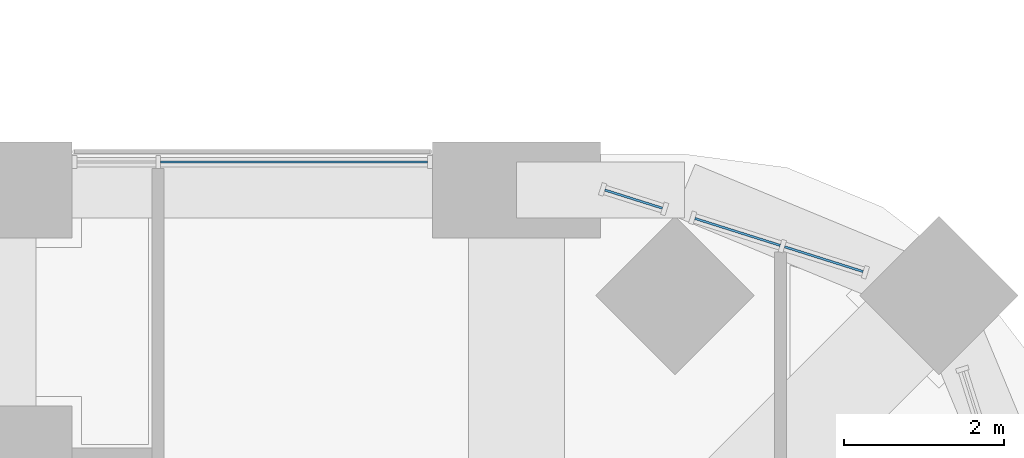
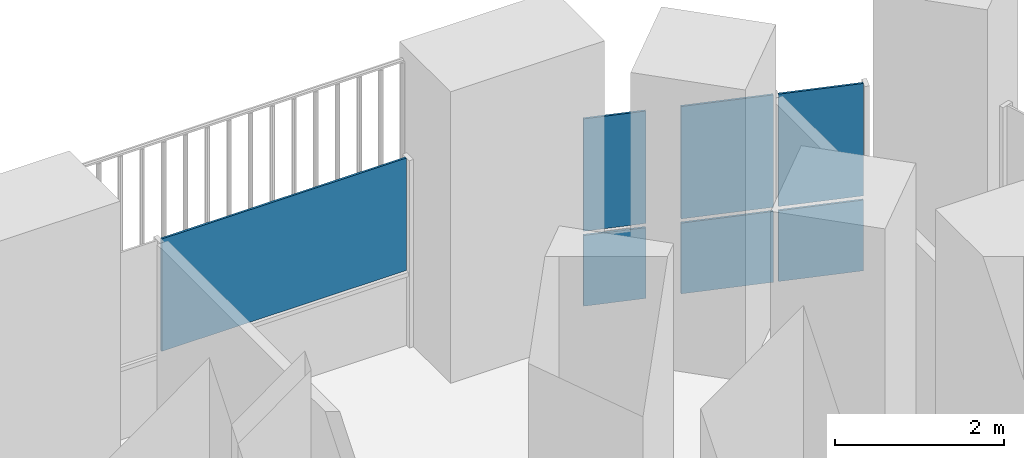
# One storey, part 16 of 26: 7 plates, 3 elements without a shape of their own.
"""IFC4 building model written with IfcOpenShell, lengths in metres."""

import ifcopenshell
import ifcopenshell.guid

model = None  # the IFC model being written
_history = None  # IfcOwnerHistory: only IFC2X3 demands one
_inside = {}  # id of a spatial element -> (the spatial element, [elements in it])
_under = {}  # id of a project, library or spatial element -> (it, [spatial elements below it])
_declared = {}  # id of a project -> (the project, [libraries it declares])
_typed = {}  # id of a type object -> (the type object, [elements of that type])
_made_of = {}  # id of a material, layer set ... -> (it, [elements and type objects made of it])


def new_model(schema):
    """Start an empty IFC model of exactly this schema.

    Asked for "IFC4X3", IfcOpenShell would pick the latest addendum, in which some entities
    have other attributes; the version numbers below select the first issue.
    IFC2X3 requires an IfcOwnerHistory on every rooted entity: one is made here for all.
    """
    global model, _history
    if schema == "IFC4X3":
        model = ifcopenshell.file(schema_version=(4, 3, 0, 0))
    else:
        model = ifcopenshell.file(schema=schema)
    _inside.clear()
    _under.clear()
    _declared.clear()
    _typed.clear()
    _made_of.clear()
    _history = None
    if model.schema == "IFC2X3":
        org = make("IfcOrganization", Name="unknown")
        user = make(
            "IfcPersonAndOrganization",
            ThePerson=make("IfcPerson", FamilyName="unknown"),
            TheOrganization=org,
        )
        app = make(
            "IfcApplication",
            ApplicationDeveloper=org,
            Version="unknown",
            ApplicationFullName="unknown",
            ApplicationIdentifier="unknown",
        )
        _history = make(
            "IfcOwnerHistory",
            OwningUser=user,
            OwningApplication=app,
            ChangeAction="ADDED",
            CreationDate=0,
        )
    return model


def make(cls, **values):
    """One entity of the class cls with the attributes given. An attribute that is None is left unset."""
    return model.create_entity(
        cls, **{name: value for name, value in values.items() if value is not None}
    )


def rooted(cls, **values):
    """An entity with a GlobalId (a new one), such as an element, a storey or a relation."""
    return make(cls, GlobalId=ifcopenshell.guid.new(), OwnerHistory=_history, **values)


def si_unit(unit_type, name, prefix=None):
    """IfcSIUnit, for example si_unit("LENGTHUNIT", "METRE", prefix="MILLI")."""
    return make("IfcSIUnit", UnitType=unit_type, Prefix=prefix, Name=name)


def assignment(units):
    """IfcUnitAssignment: the units of a project."""
    return None if units is None else make("IfcUnitAssignment", Units=units)


def point(xyz):
    """IfcCartesianPoint."""
    return None if xyz is None else make("IfcCartesianPoint", Coordinates=xyz)


def direction(xyz):
    """IfcDirection."""
    return None if xyz is None else make("IfcDirection", DirectionRatios=xyz)


def frame(location, z_axis=None, x_axis=None):
    """IfcAxis2Placement3D, a coordinate frame: its origin and axes. An axis left out is left unset."""
    return make(
        "IfcAxis2Placement3D",
        Location=point(location),
        Axis=direction(z_axis),
        RefDirection=direction(x_axis),
    )


def frame_2d(location, x_axis=None):
    """IfcAxis2Placement2D, a coordinate frame in the plane: its origin and x axis."""
    return make(
        "IfcAxis2Placement2D", Location=point(location), RefDirection=direction(x_axis)
    )


def origin():
    """The frame at (0, 0, 0) with its axes left unset."""
    return frame((0.0, 0.0, 0.0))


def origin_2d():
    """The frame at (0, 0) in the plane with its x axis left unset."""
    return frame_2d((0.0, 0.0))


def place(relative_to, where):
    """IfcLocalPlacement: puts the frame where relative to a parent placement (None: the world)."""
    return make(
        "IfcLocalPlacement", PlacementRelTo=relative_to, RelativePlacement=where
    )


def context(
    kind, dimensions, precision=None, world=None, true_north=None, identifier=None
):
    """IfcGeometricRepresentationContext, for example the 3D "Model" context."""
    return make(
        "IfcGeometricRepresentationContext",
        ContextIdentifier=identifier,
        ContextType=kind,
        CoordinateSpaceDimension=dimensions,
        Precision=precision,
        WorldCoordinateSystem=world,
        TrueNorth=true_north,
    )


def subcontext(parent, identifier, kind, view, scale=None):
    """IfcGeometricRepresentationSubContext, for example "Body" below "Model"."""
    return make(
        "IfcGeometricRepresentationSubContext",
        ContextIdentifier=identifier,
        ContextType=kind,
        ParentContext=parent,
        TargetScale=scale,
        TargetView=view,
    )


def project(units=None, contexts=None):
    """IfcProject with its units and contexts."""
    return rooted(
        "IfcProject",
        Name="project",
        RepresentationContexts=contexts,
        UnitsInContext=assignment(units),
    )


def spatial(cls, under=None, at=None, **own):
    """A site, building, storey or space (cls), placed at a placement, below another one or the project."""
    s = rooted(cls, ObjectPlacement=at, **own)
    if under is not None:
        _under.setdefault(under.id(), (under, []))[1].append(s)
    return s


def profile(cls, at=None, kind="AREA", **sizes):
    """A parametric profile (cls). Its sizes go by their IFC names, for example OverallWidth=200.0."""
    return make(cls, ProfileType=kind, Position=at, **sizes)


def rectangle(**sizes):
    """IfcRectangleProfileDef."""
    return profile("IfcRectangleProfileDef", **sizes)


def extrude(swept, where, along, depth):
    """IfcExtrudedAreaSolid: the profile swept, set in the frame where, extruded along a direction by depth."""
    return make(
        "IfcExtrudedAreaSolid",
        SweptArea=swept,
        Position=where,
        ExtrudedDirection=direction(along),
        Depth=depth,
    )


def shape(context_of_items, identifier, shape_type, items):
    """IfcShapeRepresentation: the items that make up one representation, for example the "Body"."""
    return make(
        "IfcShapeRepresentation",
        ContextOfItems=context_of_items,
        RepresentationIdentifier=identifier,
        RepresentationType=shape_type,
        Items=items,
    )


def material(Name=None, Category=None):
    """IfcMaterial."""
    return make("IfcMaterial", Name=Name, Category=Category)


def layer(
    of_material, thickness, ventilated=None, Name=None, Category=None, Priority=None
):
    """IfcMaterialLayer: one layer of a wall or slab, of a material (None: an air gap)."""
    return make(
        "IfcMaterialLayer",
        Material=of_material,
        LayerThickness=thickness,
        IsVentilated=ventilated,
        Name=Name,
        Category=Category,
        Priority=Priority,
    )


def layer_set(layers, Name=None):
    """IfcMaterialLayerSet."""
    return make("IfcMaterialLayerSet", MaterialLayers=layers, LayerSetName=Name)


def made_of(thing, what):
    """Note that an element or type object is made of a material, layer set ...; save() writes the relation."""
    if what is not None:
        _made_of.setdefault(what.id(), (what, []))[1].append(thing)
    return thing


def type_object(cls, material=None, **own):
    """A type object (cls), such as IfcWallType, which elements share."""
    return made_of(rooted(cls, **own), material)


def element(
    cls,
    number,
    at=None,
    inside=None,
    cuts=None,
    type_object=None,
    material=None,
    context=None,
    identifier="Body",
    shape_type=None,
    held_by="IfcProductDefinitionShape",
    body=None,
    shapes=None,
    **own,
):
    """One element of the class cls, such as IfcWall. Its Tag is "e" and its number.

    at: its placement. inside: the storey or other place that contains it. cuts: it is an
    opening in that element (IfcRelVoidsElement). A single representation is given by context,
    identifier, shape_type and body (its items); several are given by shapes. held_by: the class
    of the entity that holds the representations. save() writes the other relations.
    """
    e = rooted(cls, Tag="e%d" % number, ObjectPlacement=at, **own)
    if body is not None:
        shapes = [shape(context, identifier, shape_type, body)]
    if shapes is not None:
        e.Representation = make(held_by, Representations=shapes)
    if inside is not None:
        _inside.setdefault(inside.id(), (inside, []))[1].append(e)
    if cuts is not None:
        rooted(
            "IfcRelVoidsElement", RelatingBuildingElement=cuts, RelatedOpeningElement=e
        )
    if type_object is not None:
        _typed.setdefault(type_object.id(), (type_object, []))[1].append(e)
    return made_of(e, material)


def aggregate(whole, parts):
    """IfcRelAggregates: a whole, such as a stair, and the parts it consists of."""
    return rooted("IfcRelAggregates", RelatingObject=whole, RelatedObjects=parts)


def save(model, path):
    """Write the relations noted so far, then the file.

    IfcRelAggregates (storeys below a building ...), IfcRelContainedInSpatialStructure (elements
    in a storey), IfcRelDefinesByType, IfcRelAssociatesMaterial and IfcRelDeclares: one each for
    every whole, place, type object, material and project.
    """
    for whole, parts in _under.values():
        aggregate(whole, parts)
    for where, things in _inside.values():
        rooted(
            "IfcRelContainedInSpatialStructure",
            RelatedElements=things,
            RelatingStructure=where,
        )
    for kind, things in _typed.values():
        rooted("IfcRelDefinesByType", RelatedObjects=things, RelatingType=kind)
    for what, things in _made_of.values():
        rooted("IfcRelAssociatesMaterial", RelatedObjects=things, RelatingMaterial=what)
    for by, libraries in _declared.values():
        rooted("IfcRelDeclares", RelatingContext=by, RelatedDefinitions=libraries)
    model.write(path)


model = new_model("IFC4")

# Units and contexts
model_context = context("Model", 3, precision=1e-05, world=origin(), true_north=direction((0.0, 1.0)))
body_context = subcontext(model_context, "Body", "Model", "MODEL_VIEW")
ifc_project = project(units=[si_unit("LENGTHUNIT", "METRE"), si_unit("AREAUNIT", "SQUARE_METRE"), si_unit("VOLUMEUNIT", "CUBIC_METRE"), si_unit("PLANEANGLEUNIT", "RADIAN"), si_unit("MASSUNIT", "GRAM", prefix="KILO")], contexts=[model_context])

# Site, building, storey
site_placement = place(None, origin())
site = spatial("IfcSite", under=ifc_project, at=site_placement, CompositionType="ELEMENT")
building_placement = place(site_placement, origin())
building = spatial("IfcBuilding", under=site, at=building_placement, Name="Cobogo Forest Laboratory Tower", CompositionType="ELEMENT")
storey_placement = place(building_placement, frame((0.0, 0.0, 25.5)))
storey = spatial("IfcBuildingStorey", under=building, at=storey_placement, Name="L05", CompositionType="ELEMENT", Elevation=25.5)

# Curtain wall, plates
ifc_material_1 = material(Name="Aluminium curtain wall", Category="aluminium")
curtain_wall_type = type_object("IfcCurtainWallType", Name="CW-1 unitised curtain wall, clear glazing, laboratory floors zones A and B", PredefinedType="USERDEFINED", material=ifc_material_1)
curtain_wall_1_placement = place(storey_placement, origin())
curtain_wall_1 = element("IfcCurtainWall", 1, at=curtain_wall_1_placement, inside=storey, type_object=curtain_wall_type, Name="Curtain wall 16 L05", ObjectType="UNITISED CURTAIN WALL", PredefinedType="USERDEFINED")
ifc_material_2 = material(Name="Clear insulated glass", Category="glass")
ifc_layer = layer(ifc_material_2, 0.028076171875)
ifc_layer_set = layer_set([ifc_layer], Name="GP-1 clear insulated glass unit 28")
plate_type = type_object("IfcPlateType", Name="GP-1 clear insulated glass unit 28", PredefinedType="CURTAIN_PANEL", material=ifc_layer_set)
plate_1_placement = place(storey_placement, frame((50.042724609375, 45.33642578125, 0.0), z_axis=(0.0, 0.0, 1.0), x_axis=(-0.953581409645, 0.301135343623, 0.0)))
plate_1 = element("IfcPlate", 2, at=plate_1_placement, type_object=plate_type, Name="CW-1 panel 1.1", PredefinedType="CURTAIN_PANEL", context=body_context, shape_type="SweptSolid", body=[
    extrude(rectangle(XDim=1.027587890625, YDim=0.028076171875, at=origin_2d()), origin(), (0.0, 0.0, 1.0), 1.02001953125),
])
plate_2_placement = place(storey_placement, frame((50.042724609375, 45.33642578125, 1.079833984375), z_axis=(0.0, 0.0, 1.0), x_axis=(-0.953581409645, 0.301135343623, 0.0)))
plate_2 = element("IfcPlate", 3, at=plate_2_placement, type_object=plate_type, Name="CW-1 panel 1.2", PredefinedType="CURTAIN_PANEL", context=body_context, shape_type="SweptSolid", body=[
    extrude(rectangle(XDim=1.027587890625, YDim=0.028076171875, at=origin_2d()), origin(), (0.0, 0.0, 1.0), 1.6201171875),
])
plate_3_placement = place(storey_placement, frame((48.963623046875, 45.67724609375, 0.0), z_axis=(0.0, 0.0, 1.0), x_axis=(-0.953581409645, 0.301135343623, 0.0)))
plate_3 = element("IfcPlate", 4, at=plate_3_placement, type_object=plate_type, Name="CW-1 panel 2.1", PredefinedType="CURTAIN_PANEL", context=body_context, shape_type="SweptSolid", body=[
    extrude(rectangle(XDim=1.11572265625, YDim=0.028076171875, at=origin_2d()), origin(), (0.0, 0.0, 1.0), 1.02001953125),
])
plate_4_placement = place(storey_placement, frame((48.963623046875, 45.67724609375, 1.079833984375), z_axis=(0.0, 0.0, 1.0), x_axis=(-0.953581409645, 0.301135343623, 0.0)))
plate_4 = element("IfcPlate", 5, at=plate_4_placement, type_object=plate_type, Name="CW-1 panel 2.2", PredefinedType="CURTAIN_PANEL", context=body_context, shape_type="SweptSolid", body=[
    extrude(rectangle(XDim=1.11572265625, YDim=0.028076171875, at=origin_2d()), origin(), (0.0, 0.0, 1.0), 1.6201171875),
])
aggregate(curtain_wall_1, [plate_1, plate_2, plate_3, plate_4])

curtain_wall_2_placement = place(storey_placement, origin())
curtain_wall_2 = element("IfcCurtainWall", 6, at=curtain_wall_2_placement, inside=storey, type_object=curtain_wall_type, Name="Curtain wall 17 L05", ObjectType="UNITISED CURTAIN WALL", PredefinedType="USERDEFINED")
plate_5_placement = place(storey_placement, frame((47.666015625, 46.087158203125, 0.0), z_axis=(0.0, 0.0, 1.0), x_axis=(-0.953581504428, 0.301135043481, 0.0)))
plate_5 = element("IfcPlate", 7, at=plate_5_placement, type_object=plate_type, Name="CW-1 panel 1.1", PredefinedType="CURTAIN_PANEL", context=body_context, shape_type="SweptSolid", body=[
    extrude(rectangle(XDim=0.75244140625, YDim=0.028076171875, at=origin_2d()), origin(), (0.0, 0.0, 1.0), 1.02001953125),
])
plate_6_placement = place(storey_placement, frame((47.666015625, 46.087158203125, 1.079833984375), z_axis=(0.0, 0.0, 1.0), x_axis=(-0.953581504428, 0.301135043481, 0.0)))
plate_6 = element("IfcPlate", 8, at=plate_6_placement, type_object=plate_type, Name="CW-1 panel 1.2", PredefinedType="CURTAIN_PANEL", context=body_context, shape_type="SweptSolid", body=[
    extrude(rectangle(XDim=0.75244140625, YDim=0.028076171875, at=origin_2d()), origin(), (0.0, 0.0, 1.0), 1.6201171875),
])
aggregate(curtain_wall_2, [plate_5, plate_6])

# Curtain wall, plate
curtain_wall_3_placement = place(storey_placement, origin())
curtain_wall_3 = element("IfcCurtainWall", 9, at=curtain_wall_3_placement, inside=storey, type_object=curtain_wall_type, Name="Curtain wall 18 L05", ObjectType="UNITISED CURTAIN WALL", PredefinedType="USERDEFINED")
plate_7_placement = place(storey_placement, frame((43.422607421875, 46.550048828125, 1.079833984375), z_axis=(0.0, 0.0, 1.0), x_axis=(-1.0, 0.0, 0.0)))
plate_7 = element("IfcPlate", 10, at=plate_7_placement, type_object=plate_type, Name="CW-1 panel 1.2", PredefinedType="CURTAIN_PANEL", context=body_context, shape_type="SweptSolid", body=[
    extrude(rectangle(XDim=3.3349609375, YDim=0.028076171875, at=origin_2d()), origin(), (0.0, 0.0, 1.0), 1.6201171875),
])
aggregate(curtain_wall_3, [plate_7])

save(model, "model.ifc")
